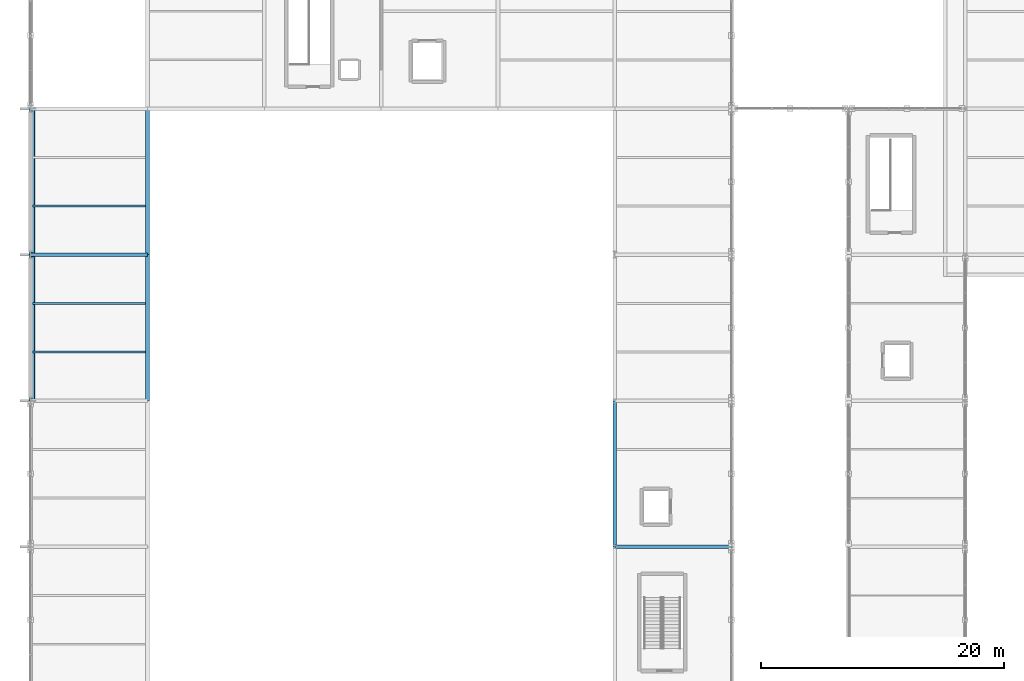
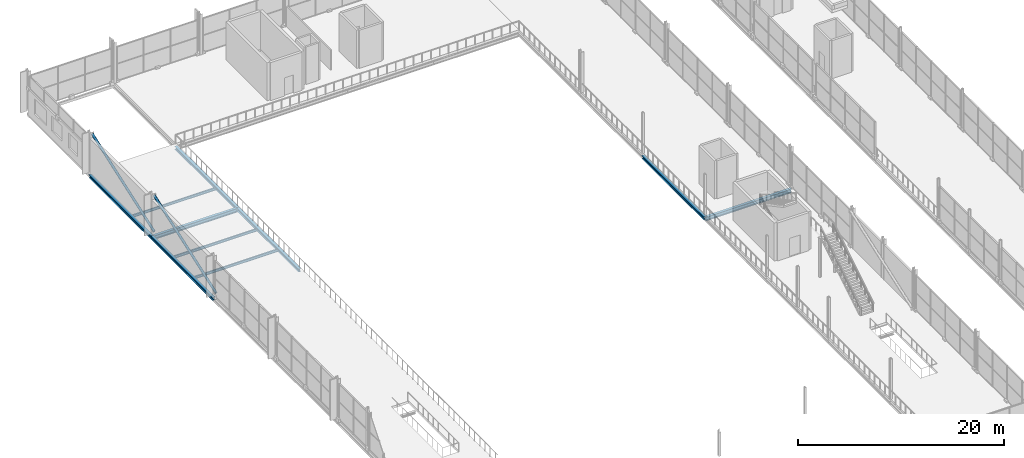
# One storey, part 69 of 159: 10 beams, 2 members.
"""IFC4 building model written with IfcOpenShell, lengths in metres."""

from ifc_helpers import new_model, si_unit, direction, frame, origin, origin_2d, place, context, subcontext, project, spatial, hollow_circle, i_section, extrude, material, material_profile, profile_set, type_object, element, save


model = new_model("IFC4")

# Units and contexts
model_context = context("Model", 3, precision=1e-05, world=origin(), true_north=direction((0.0, 1.0)))
body_context = subcontext(model_context, "Body", "Model", "MODEL_VIEW")
ifc_project = project(units=[si_unit("LENGTHUNIT", "METRE"), si_unit("AREAUNIT", "SQUARE_METRE"), si_unit("VOLUMEUNIT", "CUBIC_METRE"), si_unit("PLANEANGLEUNIT", "RADIAN"), si_unit("MASSUNIT", "GRAM", prefix="KILO")], contexts=[model_context])

# Site, building, storey
site_placement = place(None, origin())
site = spatial("IfcSite", under=ifc_project, at=site_placement, CompositionType="ELEMENT")
building_placement = place(site_placement, origin())
building = spatial("IfcBuilding", under=site, at=building_placement, Name="Merenkruunu Market Hall", CompositionType="ELEMENT")
storey_placement = place(building_placement, frame((0.0, 0.0, 5.39990234375)))
storey = spatial("IfcBuildingStorey", under=building, at=storey_placement, Name="L01", CompositionType="ELEMENT", Elevation=5.39990234375)

# Members
ifc_material_1 = material(Name="Steel S355ML", Category="steel")
ifc_material_profile_1 = material_profile(ifc_material_1, hollow_circle(Radius=0.136474609375, WallThickness=0.012451171875, at=origin_2d()), Name="CHS 273x12.5")
ifc_profile_set_1 = profile_set([ifc_material_profile_1], Name="Steel S355ML")
member_type = type_object("IfcMemberType", Name="Diagonal Sway Brace BR02", PredefinedType="BRACE", material=ifc_profile_set_1)
for number, where, z_axis, x_axis, name in (
    (1, (0.239990234375, 87.60009765625, 0.150146484375), (0.0, 0.942627225161, 0.333847142245), (-1.0, 0.0, 0.0), "MEM-CBF03"),
    (2, (0.239990234375, 75.60009765625, 0.150146484375), (0.0, 0.942627225161, 0.333847142245), (-1.0, 0.0, 0.0), "MEM-CBF04"),
):
    element("IfcMember", number, at=place(storey_placement, frame(where, z_axis=z_axis, x_axis=x_axis)), inside=storey, type_object=member_type, Name=name, PredefinedType="BRACE", context=body_context, shape_type="SweptSolid", body=[
        extrude(hollow_circle(Radius=0.136474609375, WallThickness=0.012451171875, at=origin_2d()), origin(), (0.0, 0.0, 1.0), 12.73046875),
    ])

# Beams
ifc_material_2 = material(Name="Steel S355J2", Category="steel")
ifc_material_profile_2 = material_profile(ifc_material_2, i_section(OverallWidth=0.300048828125, OverallDepth=0.449951171875, WebThickness=0.013916015625, FlangeThickness=0.02587890625, FilletRadius=0.027099609375, at=origin_2d()), Name="HEB 450")
ifc_profile_set_2 = profile_set([ifc_material_profile_2], Name="Steel S355J2")
beam_type_1 = type_object("IfcBeamType", Name="Primary Floor Girder B03", PredefinedType="BEAM", material=ifc_profile_set_2)
for number, where, z_axis, x_axis, name in (
    (3, (48.0, 63.60009765625, -0.5048828125), (1.0, 0.0, 0.0), (0.0, 1.0, 0.0), "BM-L01-B03-0527"),
    (4, (0.0, 87.60009765625, -0.5048828125), (1.0, 0.0, 0.0), (0.0, 1.0, 0.0), "BM-L01-B03-0536"),
):
    element("IfcBeam", number, at=place(storey_placement, frame(where, z_axis=z_axis, x_axis=x_axis)), inside=storey, type_object=beam_type_1, Name=name, PredefinedType="BEAM", context=body_context, shape_type="SweptSolid", body=[
        extrude(i_section(OverallWidth=0.300048828125, OverallDepth=0.449951171875, WebThickness=0.013916015625, FlangeThickness=0.02587890625, FilletRadius=0.027099609375, at=origin_2d()), origin(), (0.0, 0.0, 1.0), 9.60009765625),
    ])
ifc_material_profile_3 = material_profile(ifc_material_2, i_section(OverallWidth=0.300048828125, OverallDepth=0.35009765625, WebThickness=0.010009765625, FlangeThickness=0.017578125, FilletRadius=0.027099609375, at=origin_2d()), Name="HEA 360")
ifc_profile_set_3 = profile_set([ifc_material_profile_3], Name="Steel S355J2")
beam_type_2 = type_object("IfcBeamType", Name="Primary Floor Girder B08", PredefinedType="BEAM", material=ifc_profile_set_3)
for number, where, z_axis, x_axis, name in (
    (5, (0.0, 75.60009765625, -0.454833984375), (0.0, 1.0, 0.0), (-1.0, 0.0, 0.0), "BM-L01-B08-0557"),
    (6, (0.0, 87.60009765625, -0.454833984375), (0.0, 1.0, 0.0), (-1.0, 0.0, 0.0), "BM-L01-B08-0558"),
    (7, (9.60009765625, 75.60009765625, -0.454833984375), (0.0, 1.0, 0.0), (-1.0, 0.0, 0.0), "BM-L01-B08-0565"),
    (8, (9.60009765625, 87.60009765625, -0.454833984375), (0.0, 1.0, 0.0), (-1.0, 0.0, 0.0), "BM-L01-B08-0566"),
    (9, (48.0, 63.60009765625, -0.454833984375), (0.0, 1.0, 0.0), (-1.0, 0.0, 0.0), "BM-L01-B08-0576"),
):
    element("IfcBeam", number, at=place(storey_placement, frame(where, z_axis=z_axis, x_axis=x_axis)), inside=storey, type_object=beam_type_2, Name=name, PredefinedType="BEAM", context=body_context, shape_type="SweptSolid", body=[
        extrude(i_section(OverallWidth=0.300048828125, OverallDepth=0.35009765625, WebThickness=0.010009765625, FlangeThickness=0.017578125, FilletRadius=0.027099609375, at=origin_2d()), origin(), (0.0, 0.0, 1.0), 12.0),
    ])
ifc_material_profile_4 = material_profile(ifc_material_2, i_section(OverallWidth=0.14990234375, OverallDepth=0.300048828125, WebThickness=0.007080078125, FlangeThickness=0.0107421875, FilletRadius=0.014892578125, at=origin_2d()), Name="IPE 300")
ifc_profile_set_4 = profile_set([ifc_material_profile_4], Name="Steel S355J2")
beam_type_3 = type_object("IfcBeamType", Name="Secondary Floor Joist J04", PredefinedType="JOIST", material=ifc_profile_set_4)
for number, where, z_axis, x_axis, name in (
    (10, (0.153076171875, 79.60009765625, -0.429931640625), (1.0, 0.0, 0.0), (0.0, 1.0, 0.0), "BM-L01-J04-0656"),
    (11, (0.153076171875, 83.60009765625, -0.429931640625), (1.0, 0.0, 0.0), (0.0, 1.0, 0.0), "BM-L01-J04-0657"),
    (12, (0.153076171875, 91.60009765625, -0.429931640625), (1.0, 0.0, 0.0), (0.0, 1.0, 0.0), "BM-L01-J04-0658"),
):
    element("IfcBeam", number, at=place(storey_placement, frame(where, z_axis=z_axis, x_axis=x_axis)), inside=storey, type_object=beam_type_3, Name=name, PredefinedType="JOIST", context=body_context, shape_type="SweptSolid", body=[
        extrude(i_section(OverallWidth=0.14990234375, OverallDepth=0.300048828125, WebThickness=0.007080078125, FlangeThickness=0.0107421875, FilletRadius=0.014892578125, at=origin_2d()), origin(), (0.0, 0.0, 1.0), 9.2939453125),
    ])

save(model, "model.ifc")
